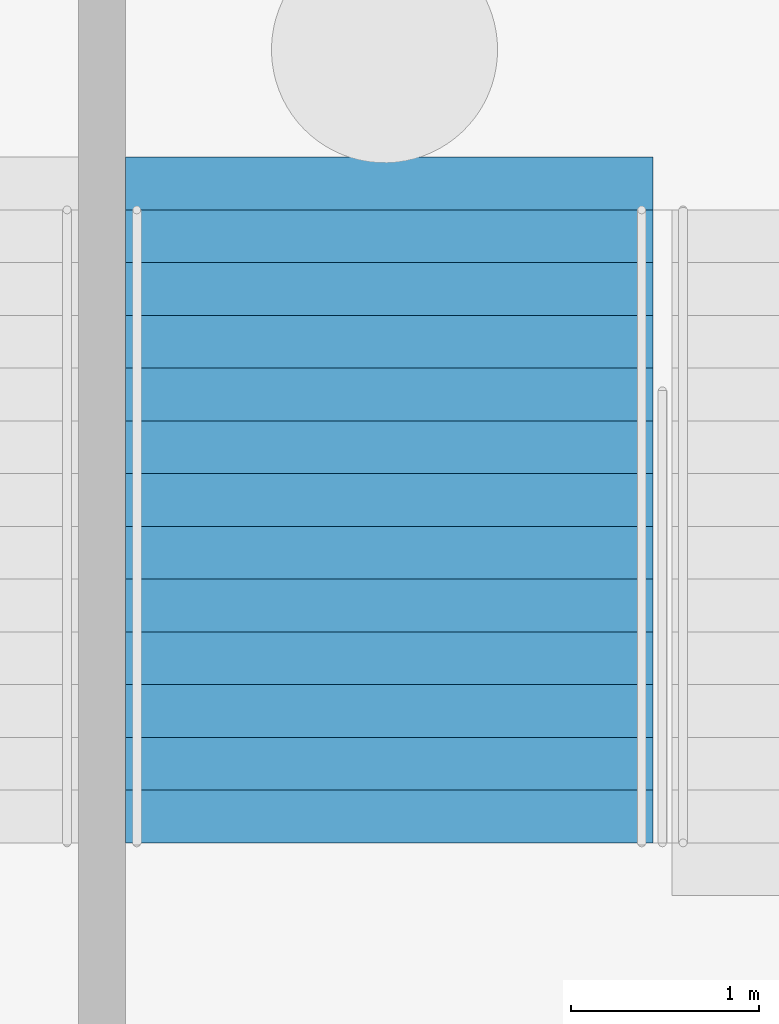
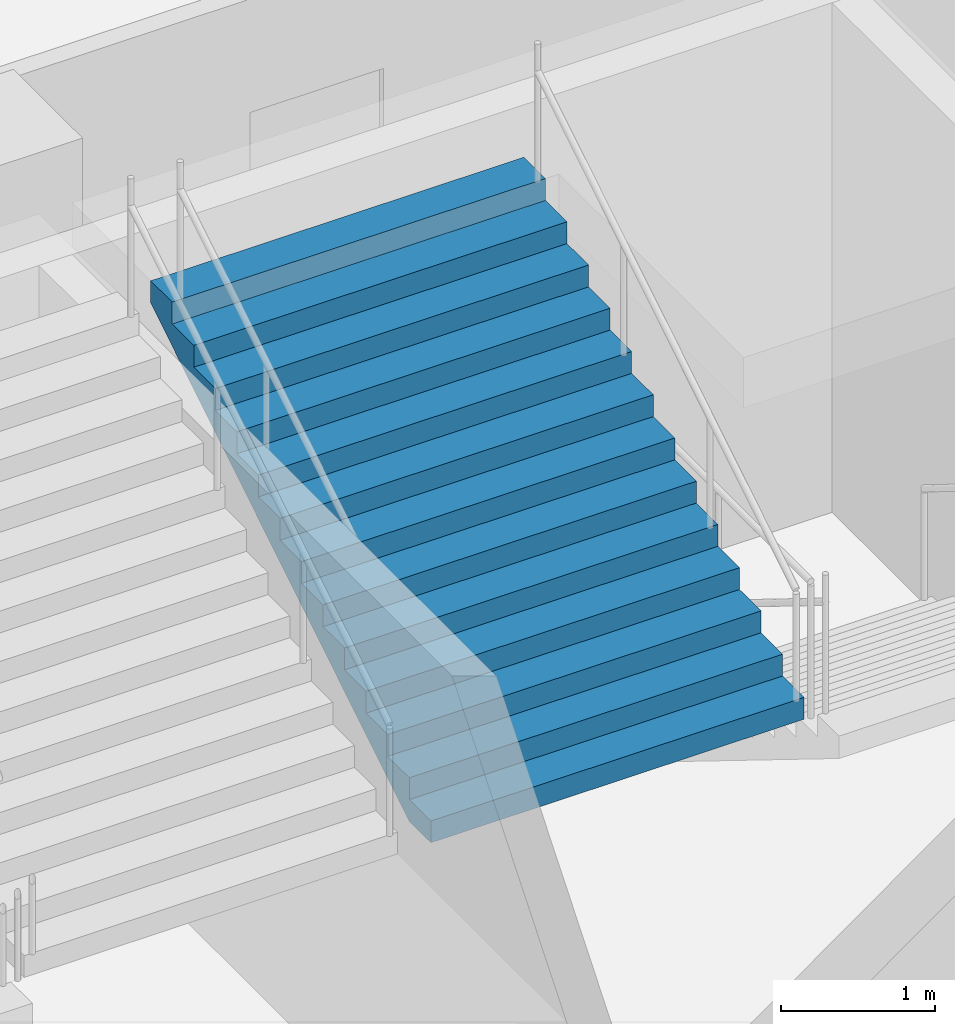
# One storey, part 65 of 115: 1 stair flight, 1 element without a shape of its own.
"""IFC4 building model written with IfcOpenShell, lengths in metres."""

from ifc_helpers import new_model, si_unit, direction, frame, origin, place, context, subcontext, project, spatial, faceted_brep, material, type_object, element, aggregate, save


model = new_model("IFC4")

# Units and contexts
model_context = context("Model", 3, precision=1e-05, world=origin(), true_north=direction((0.0, 1.0)))
body_context = subcontext(model_context, "Body", "Model", "MODEL_VIEW")
ifc_project = project(units=[si_unit("LENGTHUNIT", "METRE"), si_unit("AREAUNIT", "SQUARE_METRE"), si_unit("VOLUMEUNIT", "CUBIC_METRE"), si_unit("PLANEANGLEUNIT", "RADIAN"), si_unit("MASSUNIT", "GRAM", prefix="KILO")], contexts=[model_context])

# Site, building, storey
site_placement = place(None, origin())
site = spatial("IfcSite", under=ifc_project, at=site_placement, CompositionType="ELEMENT")
building_placement = place(site_placement, origin())
building = spatial("IfcBuilding", under=site, at=building_placement, Name="Ogive Plaza Stadium", CompositionType="ELEMENT")
storey_placement = place(building_placement, frame((0.0, 0.0, -4.5)))
storey = spatial("IfcBuildingStorey", under=building, at=storey_placement, Name="B1", CompositionType="ELEMENT", Elevation=-4.5)

# Stair, stair flight
ifc_material_1 = material(Name="Concrete C40/50", Category="concrete")
stair_type = type_object("IfcStairType", Name="Exit stair", PredefinedType="STRAIGHT_RUN_STAIR", material=ifc_material_1)
stair_placement = place(storey_placement, origin())
stair = element("IfcStair", 1, at=stair_placement, inside=storey, type_object=stair_type, Name="Exit stair ST16B B1 to L00", PredefinedType="STRAIGHT_RUN_STAIR")
ifc_material_2 = material(Name="Concrete C40/50", Category="concrete")
stair_flight_type = type_object("IfcStairFlightType", Name="Exit stair flight", PredefinedType="STRAIGHT", material=ifc_material_2)
stair_flight_placement = place(storey_placement, frame((-18.875, -98.2099609375, 2.25), z_axis=(0.0, 0.0, 1.0), x_axis=(0.0, 1.0, 0.0)))
stair_flight = element("IfcStairFlight", 2, at=stair_flight_placement, type_object=stair_flight_type, Name="ST16B flight 2", NumberOfRisers=13, NumberOfTreads=12, PredefinedType="STRAIGHT", RiserHeight=0.173076923, TreadLength=0.28, context=body_context, shape_type="Brep", body=[
    faceted_brep([(0.28515625, -1.39990234375, 0.0), (3.639892578125, -1.39990234375, 2.07373046875), (3.639892578125, -1.39990234375, 2.25), (3.360107421875, -1.39990234375, 2.25), (3.360107421875, -1.39990234375, 2.076904296875), (3.080078125, -1.39990234375, 2.076904296875), (3.080078125, -1.39990234375, 1.90380859375), (2.800048828125, -1.39990234375, 1.90380859375), (2.800048828125, -1.39990234375, 1.730712890625), (2.52001953125, -1.39990234375, 1.730712890625), (2.52001953125, -1.39990234375, 1.5576171875), (2.239990234375, -1.39990234375, 1.5576171875), (2.239990234375, -1.39990234375, 1.384521484375), (1.9599609375, -1.39990234375, 1.384521484375), (1.9599609375, -1.39990234375, 1.21142578125), (1.679931640625, -1.39990234375, 1.21142578125), (1.679931640625, -1.39990234375, 1.03857421875), (1.39990234375, -1.39990234375, 1.03857421875), (1.39990234375, -1.39990234375, 0.865478515625), (1.1201171875, -1.39990234375, 0.865478515625), (1.1201171875, -1.39990234375, 0.6923828125), (0.840087890625, -1.39990234375, 0.6923828125), (0.840087890625, -1.39990234375, 0.519287109375), (0.56005859375, -1.39990234375, 0.519287109375), (0.56005859375, -1.39990234375, 0.34619140625), (0.280029296875, -1.39990234375, 0.34619140625), (0.280029296875, -1.39990234375, 0.173095703125), (0.0, -1.39990234375, 0.173095703125), (0.0, -1.39990234375, 0.0), (0.0, 1.39990234375, 0.0), (0.0, 1.39990234375, 0.173095703125), (0.280029296875, 1.39990234375, 0.173095703125), (0.280029296875, 1.39990234375, 0.34619140625), (0.56005859375, 1.39990234375, 0.34619140625), (0.56005859375, 1.39990234375, 0.519287109375), (0.840087890625, 1.39990234375, 0.519287109375), (0.840087890625, 1.39990234375, 0.6923828125), (1.1201171875, 1.39990234375, 0.6923828125), (1.1201171875, 1.39990234375, 0.865478515625), (1.39990234375, 1.39990234375, 0.865478515625), (1.39990234375, 1.39990234375, 1.03857421875), (1.679931640625, 1.39990234375, 1.03857421875), (1.679931640625, 1.39990234375, 1.21142578125), (1.9599609375, 1.39990234375, 1.21142578125), (1.9599609375, 1.39990234375, 1.384521484375), (2.239990234375, 1.39990234375, 1.384521484375), (2.239990234375, 1.39990234375, 1.5576171875), (2.52001953125, 1.39990234375, 1.5576171875), (2.52001953125, 1.39990234375, 1.730712890625), (2.800048828125, 1.39990234375, 1.730712890625), (2.800048828125, 1.39990234375, 1.90380859375), (3.080078125, 1.39990234375, 1.90380859375), (3.080078125, 1.39990234375, 2.076904296875), (3.360107421875, 1.39990234375, 2.076904296875), (3.360107421875, 1.39990234375, 2.25), (3.639892578125, 1.39990234375, 2.25), (3.639892578125, 1.39990234375, 2.07373046875), (0.28515625, 1.39990234375, 0.0), (0.28515625, -1.0888671875, 0.0), (3.639892578125, -1.0888671875, 2.07373046875), (0.28515625, -0.77783203125, 0.0), (3.639892578125, -0.77783203125, 2.07373046875), (0.28515625, -0.466796875, 0.0), (3.639892578125, -0.466796875, 2.07373046875), (0.28515625, -0.155517578125, 0.0), (3.639892578125, -0.155517578125, 2.07373046875), (0.28515625, 0.155517578125, 0.0), (3.639892578125, 0.155517578125, 2.07373046875), (0.28515625, 0.466796875, 0.0), (3.639892578125, 0.466796875, 2.07373046875), (0.28515625, 0.77783203125, 0.0), (3.639892578125, 0.77783203125, 2.07373046875), (0.28515625, 1.0888671875, 0.0), (3.639892578125, 1.0888671875, 2.07373046875), (3.639892578125, -1.0888671875, 2.25), (3.639892578125, -0.77783203125, 2.25), (3.639892578125, -0.466796875, 2.25), (3.639892578125, -0.155517578125, 2.25), (3.639892578125, 0.155517578125, 2.25), (3.639892578125, 0.466796875, 2.25), (3.639892578125, 0.77783203125, 2.25), (3.639892578125, 1.0888671875, 2.25), (3.360107421875, -1.0888671875, 2.25), (3.360107421875, -0.77783203125, 2.25), (3.360107421875, -0.466796875, 2.25), (3.360107421875, -0.155517578125, 2.25), (3.360107421875, 0.155517578125, 2.25), (3.360107421875, 0.466796875, 2.25), (3.360107421875, 0.77783203125, 2.25), (3.360107421875, 1.0888671875, 2.25), (3.360107421875, -1.0888671875, 2.076904296875), (3.360107421875, -0.77783203125, 2.076904296875), (3.360107421875, -0.466796875, 2.076904296875), (3.360107421875, -0.155517578125, 2.076904296875), (3.360107421875, 0.155517578125, 2.076904296875), (3.360107421875, 0.466796875, 2.076904296875), (3.360107421875, 0.77783203125, 2.076904296875), (3.360107421875, 1.0888671875, 2.076904296875), (3.080078125, -1.0888671875, 2.076904296875), (3.080078125, -0.77783203125, 2.076904296875), (3.080078125, -0.466796875, 2.076904296875), (3.080078125, -0.155517578125, 2.076904296875), (3.080078125, 0.155517578125, 2.076904296875), (3.080078125, 0.466796875, 2.076904296875), (3.080078125, 0.77783203125, 2.076904296875), (3.080078125, 1.0888671875, 2.076904296875), (3.080078125, -1.0888671875, 1.90380859375), (3.080078125, -0.77783203125, 1.90380859375), (3.080078125, -0.466796875, 1.90380859375), (3.080078125, -0.155517578125, 1.90380859375), (3.080078125, 0.155517578125, 1.90380859375), (3.080078125, 0.466796875, 1.90380859375), (3.080078125, 0.77783203125, 1.90380859375), (3.080078125, 1.0888671875, 1.90380859375), (2.800048828125, -1.0888671875, 1.90380859375), (2.800048828125, -0.77783203125, 1.90380859375), (2.800048828125, -0.466796875, 1.90380859375), (2.800048828125, -0.155517578125, 1.90380859375), (2.800048828125, 0.155517578125, 1.90380859375), (2.800048828125, 0.466796875, 1.90380859375), (2.800048828125, 0.77783203125, 1.90380859375), (2.800048828125, 1.0888671875, 1.90380859375), (2.800048828125, -1.0888671875, 1.730712890625), (2.800048828125, -0.77783203125, 1.730712890625), (2.800048828125, -0.466796875, 1.730712890625), (2.800048828125, -0.155517578125, 1.730712890625), (2.800048828125, 0.155517578125, 1.730712890625), (2.800048828125, 0.466796875, 1.730712890625), (2.800048828125, 0.77783203125, 1.730712890625), (2.800048828125, 1.0888671875, 1.730712890625), (2.52001953125, -1.0888671875, 1.730712890625), (2.52001953125, -0.77783203125, 1.730712890625), (2.52001953125, -0.466796875, 1.730712890625), (2.52001953125, -0.155517578125, 1.730712890625), (2.52001953125, 0.155517578125, 1.730712890625), (2.52001953125, 0.466796875, 1.730712890625), (2.52001953125, 0.77783203125, 1.730712890625), (2.52001953125, 1.0888671875, 1.730712890625), (2.52001953125, -1.0888671875, 1.5576171875), (2.52001953125, -0.77783203125, 1.5576171875), (2.52001953125, -0.466796875, 1.5576171875), (2.52001953125, -0.155517578125, 1.5576171875), (2.52001953125, 0.155517578125, 1.5576171875), (2.52001953125, 0.466796875, 1.5576171875), (2.52001953125, 0.77783203125, 1.5576171875), (2.52001953125, 1.0888671875, 1.5576171875), (2.239990234375, -1.0888671875, 1.5576171875), (2.239990234375, -0.77783203125, 1.5576171875), (2.239990234375, -0.466796875, 1.5576171875), (2.239990234375, -0.155517578125, 1.5576171875), (2.239990234375, 0.155517578125, 1.5576171875), (2.239990234375, 0.466796875, 1.5576171875), (2.239990234375, 0.77783203125, 1.5576171875), (2.239990234375, 1.0888671875, 1.5576171875), (2.239990234375, -1.0888671875, 1.384521484375), (2.239990234375, -0.77783203125, 1.384521484375), (2.239990234375, -0.466796875, 1.384521484375), (2.239990234375, -0.155517578125, 1.384521484375), (2.239990234375, 0.155517578125, 1.384521484375), (2.239990234375, 0.466796875, 1.384521484375), (2.239990234375, 0.77783203125, 1.384521484375), (2.239990234375, 1.0888671875, 1.384521484375), (1.9599609375, -1.0888671875, 1.384521484375), (1.9599609375, -0.77783203125, 1.384521484375), (1.9599609375, -0.466796875, 1.384521484375), (1.9599609375, -0.155517578125, 1.384521484375), (1.9599609375, 0.155517578125, 1.384521484375), (1.9599609375, 0.466796875, 1.384521484375), (1.9599609375, 0.77783203125, 1.384521484375), (1.9599609375, 1.0888671875, 1.384521484375), (1.9599609375, -1.0888671875, 1.21142578125), (1.9599609375, -0.77783203125, 1.21142578125), (1.9599609375, -0.466796875, 1.21142578125), (1.9599609375, -0.155517578125, 1.21142578125), (1.9599609375, 0.155517578125, 1.21142578125), (1.9599609375, 0.466796875, 1.21142578125), (1.9599609375, 0.77783203125, 1.21142578125), (1.9599609375, 1.0888671875, 1.21142578125), (1.679931640625, -1.0888671875, 1.21142578125), (1.679931640625, -0.77783203125, 1.21142578125), (1.679931640625, -0.466796875, 1.21142578125), (1.679931640625, -0.155517578125, 1.21142578125), (1.679931640625, 0.155517578125, 1.21142578125), (1.679931640625, 0.466796875, 1.21142578125), (1.679931640625, 0.77783203125, 1.21142578125), (1.679931640625, 1.0888671875, 1.21142578125), (1.679931640625, -1.0888671875, 1.03857421875), (1.679931640625, -0.77783203125, 1.03857421875), (1.679931640625, -0.466796875, 1.03857421875), (1.679931640625, -0.155517578125, 1.03857421875), (1.679931640625, 0.155517578125, 1.03857421875), (1.679931640625, 0.466796875, 1.03857421875), (1.679931640625, 0.77783203125, 1.03857421875), (1.679931640625, 1.0888671875, 1.03857421875), (1.39990234375, -1.0888671875, 1.03857421875), (1.39990234375, -0.77783203125, 1.03857421875), (1.39990234375, -0.466796875, 1.03857421875), (1.39990234375, -0.155517578125, 1.03857421875), (1.39990234375, 0.155517578125, 1.03857421875), (1.39990234375, 0.466796875, 1.03857421875), (1.39990234375, 0.77783203125, 1.03857421875), (1.39990234375, 1.0888671875, 1.03857421875), (1.39990234375, -1.0888671875, 0.865478515625), (1.39990234375, -0.77783203125, 0.865478515625), (1.39990234375, -0.466796875, 0.865478515625), (1.39990234375, -0.155517578125, 0.865478515625), (1.39990234375, 0.155517578125, 0.865478515625), (1.39990234375, 0.466796875, 0.865478515625), (1.39990234375, 0.77783203125, 0.865478515625), (1.39990234375, 1.0888671875, 0.865478515625), (1.1201171875, -1.0888671875, 0.865478515625), (1.1201171875, -0.77783203125, 0.865478515625), (1.1201171875, -0.466796875, 0.865478515625), (1.1201171875, -0.155517578125, 0.865478515625), (1.1201171875, 0.155517578125, 0.865478515625), (1.1201171875, 0.466796875, 0.865478515625), (1.1201171875, 0.77783203125, 0.865478515625), (1.1201171875, 1.0888671875, 0.865478515625), (1.1201171875, -1.0888671875, 0.6923828125), (1.1201171875, -0.77783203125, 0.6923828125), (1.1201171875, -0.466796875, 0.6923828125), (1.1201171875, -0.155517578125, 0.6923828125), (1.1201171875, 0.155517578125, 0.6923828125), (1.1201171875, 0.466796875, 0.6923828125), (1.1201171875, 0.77783203125, 0.6923828125), (1.1201171875, 1.0888671875, 0.6923828125), (0.840087890625, -1.0888671875, 0.6923828125), (0.840087890625, -0.77783203125, 0.6923828125), (0.840087890625, -0.466796875, 0.6923828125), (0.840087890625, -0.155517578125, 0.6923828125), (0.840087890625, 0.155517578125, 0.6923828125), (0.840087890625, 0.466796875, 0.6923828125), (0.840087890625, 0.77783203125, 0.6923828125), (0.840087890625, 1.0888671875, 0.6923828125), (0.840087890625, -1.0888671875, 0.519287109375), (0.840087890625, -0.77783203125, 0.519287109375), (0.840087890625, -0.466796875, 0.519287109375), (0.840087890625, -0.155517578125, 0.519287109375), (0.840087890625, 0.155517578125, 0.519287109375), (0.840087890625, 0.466796875, 0.519287109375), (0.840087890625, 0.77783203125, 0.519287109375), (0.840087890625, 1.0888671875, 0.519287109375), (0.56005859375, -1.0888671875, 0.519287109375), (0.56005859375, -0.77783203125, 0.519287109375), (0.56005859375, -0.466796875, 0.519287109375), (0.56005859375, -0.155517578125, 0.519287109375), (0.56005859375, 0.155517578125, 0.519287109375), (0.56005859375, 0.466796875, 0.519287109375), (0.56005859375, 0.77783203125, 0.519287109375), (0.56005859375, 1.0888671875, 0.519287109375), (0.56005859375, -1.0888671875, 0.34619140625), (0.56005859375, -0.77783203125, 0.34619140625), (0.56005859375, -0.466796875, 0.34619140625), (0.56005859375, -0.155517578125, 0.34619140625), (0.56005859375, 0.155517578125, 0.34619140625), (0.56005859375, 0.466796875, 0.34619140625), (0.56005859375, 0.77783203125, 0.34619140625), (0.56005859375, 1.0888671875, 0.34619140625), (0.280029296875, -1.0888671875, 0.34619140625), (0.280029296875, -0.77783203125, 0.34619140625), (0.280029296875, -0.466796875, 0.34619140625), (0.280029296875, -0.155517578125, 0.34619140625), (0.280029296875, 0.155517578125, 0.34619140625), (0.280029296875, 0.466796875, 0.34619140625), (0.280029296875, 0.77783203125, 0.34619140625), (0.280029296875, 1.0888671875, 0.34619140625), (0.280029296875, -1.0888671875, 0.173095703125), (0.280029296875, -0.77783203125, 0.173095703125), (0.280029296875, -0.466796875, 0.173095703125), (0.280029296875, -0.155517578125, 0.173095703125), (0.280029296875, 0.155517578125, 0.173095703125), (0.280029296875, 0.466796875, 0.173095703125), (0.280029296875, 0.77783203125, 0.173095703125), (0.280029296875, 1.0888671875, 0.173095703125), (0.0, -1.0888671875, 0.173095703125), (0.0, -0.77783203125, 0.173095703125), (0.0, -0.466796875, 0.173095703125), (0.0, -0.155517578125, 0.173095703125), (0.0, 0.155517578125, 0.173095703125), (0.0, 0.466796875, 0.173095703125), (0.0, 0.77783203125, 0.173095703125), (0.0, 1.0888671875, 0.173095703125), (0.0, -1.0888671875, 0.0), (0.0, -0.77783203125, 0.0), (0.0, -0.466796875, 0.0), (0.0, -0.155517578125, 0.0), (0.0, 0.155517578125, 0.0), (0.0, 0.466796875, 0.0), (0.0, 0.77783203125, 0.0), (0.0, 1.0888671875, 0.0)], [[[0, 1, 2, 3, 4, 5, 6, 7, 8, 9, 10, 11, 12, 13, 14, 15, 16, 17, 18, 19, 20, 21, 22, 23, 24, 25, 26, 27, 28]], [[29, 30, 31, 32, 33, 34, 35, 36, 37, 38, 39, 40, 41, 42, 43, 44, 45, 46, 47, 48, 49, 50, 51, 52, 53, 54, 55, 56, 57]], [[0, 58, 59, 1]], [[58, 60, 61, 59]], [[60, 62, 63, 61]], [[62, 64, 65, 63]], [[64, 66, 67, 65]], [[66, 68, 69, 67]], [[68, 70, 71, 69]], [[70, 72, 73, 71]], [[72, 57, 56, 73]], [[1, 59, 74, 2]], [[59, 61, 75, 74]], [[61, 63, 76, 75]], [[63, 65, 77, 76]], [[65, 67, 78, 77]], [[67, 69, 79, 78]], [[69, 71, 80, 79]], [[71, 73, 81, 80]], [[73, 56, 55, 81]], [[2, 74, 82, 3]], [[74, 75, 83, 82]], [[75, 76, 84, 83]], [[76, 77, 85, 84]], [[77, 78, 86, 85]], [[78, 79, 87, 86]], [[79, 80, 88, 87]], [[80, 81, 89, 88]], [[81, 55, 54, 89]], [[3, 82, 90, 4]], [[82, 83, 91, 90]], [[83, 84, 92, 91]], [[84, 85, 93, 92]], [[85, 86, 94, 93]], [[86, 87, 95, 94]], [[87, 88, 96, 95]], [[88, 89, 97, 96]], [[89, 54, 53, 97]], [[4, 90, 98, 5]], [[90, 91, 99, 98]], [[91, 92, 100, 99]], [[92, 93, 101, 100]], [[93, 94, 102, 101]], [[94, 95, 103, 102]], [[95, 96, 104, 103]], [[96, 97, 105, 104]], [[97, 53, 52, 105]], [[5, 98, 106, 6]], [[98, 99, 107, 106]], [[99, 100, 108, 107]], [[100, 101, 109, 108]], [[101, 102, 110, 109]], [[102, 103, 111, 110]], [[103, 104, 112, 111]], [[104, 105, 113, 112]], [[105, 52, 51, 113]], [[6, 106, 114, 7]], [[106, 107, 115, 114]], [[107, 108, 116, 115]], [[108, 109, 117, 116]], [[109, 110, 118, 117]], [[110, 111, 119, 118]], [[111, 112, 120, 119]], [[112, 113, 121, 120]], [[113, 51, 50, 121]], [[7, 114, 122, 8]], [[114, 115, 123, 122]], [[115, 116, 124, 123]], [[116, 117, 125, 124]], [[117, 118, 126, 125]], [[118, 119, 127, 126]], [[119, 120, 128, 127]], [[120, 121, 129, 128]], [[121, 50, 49, 129]], [[8, 122, 130, 9]], [[122, 123, 131, 130]], [[123, 124, 132, 131]], [[124, 125, 133, 132]], [[125, 126, 134, 133]], [[126, 127, 135, 134]], [[127, 128, 136, 135]], [[128, 129, 137, 136]], [[129, 49, 48, 137]], [[9, 130, 138, 10]], [[130, 131, 139, 138]], [[131, 132, 140, 139]], [[132, 133, 141, 140]], [[133, 134, 142, 141]], [[134, 135, 143, 142]], [[135, 136, 144, 143]], [[136, 137, 145, 144]], [[137, 48, 47, 145]], [[10, 138, 146, 11]], [[138, 139, 147, 146]], [[139, 140, 148, 147]], [[140, 141, 149, 148]], [[141, 142, 150, 149]], [[142, 143, 151, 150]], [[143, 144, 152, 151]], [[144, 145, 153, 152]], [[145, 47, 46, 153]], [[11, 146, 154, 12]], [[146, 147, 155, 154]], [[147, 148, 156, 155]], [[148, 149, 157, 156]], [[149, 150, 158, 157]], [[150, 151, 159, 158]], [[151, 152, 160, 159]], [[152, 153, 161, 160]], [[153, 46, 45, 161]], [[12, 154, 162, 13]], [[154, 155, 163, 162]], [[155, 156, 164, 163]], [[156, 157, 165, 164]], [[157, 158, 166, 165]], [[158, 159, 167, 166]], [[159, 160, 168, 167]], [[160, 161, 169, 168]], [[161, 45, 44, 169]], [[13, 162, 170, 14]], [[162, 163, 171, 170]], [[163, 164, 172, 171]], [[164, 165, 173, 172]], [[165, 166, 174, 173]], [[166, 167, 175, 174]], [[167, 168, 176, 175]], [[168, 169, 177, 176]], [[169, 44, 43, 177]], [[14, 170, 178, 15]], [[170, 171, 179, 178]], [[171, 172, 180, 179]], [[172, 173, 181, 180]], [[173, 174, 182, 181]], [[174, 175, 183, 182]], [[175, 176, 184, 183]], [[176, 177, 185, 184]], [[177, 43, 42, 185]], [[15, 178, 186, 16]], [[178, 179, 187, 186]], [[179, 180, 188, 187]], [[180, 181, 189, 188]], [[181, 182, 190, 189]], [[182, 183, 191, 190]], [[183, 184, 192, 191]], [[184, 185, 193, 192]], [[185, 42, 41, 193]], [[16, 186, 194, 17]], [[186, 187, 195, 194]], [[187, 188, 196, 195]], [[188, 189, 197, 196]], [[189, 190, 198, 197]], [[190, 191, 199, 198]], [[191, 192, 200, 199]], [[192, 193, 201, 200]], [[193, 41, 40, 201]], [[17, 194, 202, 18]], [[194, 195, 203, 202]], [[195, 196, 204, 203]], [[196, 197, 205, 204]], [[197, 198, 206, 205]], [[198, 199, 207, 206]], [[199, 200, 208, 207]], [[200, 201, 209, 208]], [[201, 40, 39, 209]], [[18, 202, 210, 19]], [[202, 203, 211, 210]], [[203, 204, 212, 211]], [[204, 205, 213, 212]], [[205, 206, 214, 213]], [[206, 207, 215, 214]], [[207, 208, 216, 215]], [[208, 209, 217, 216]], [[209, 39, 38, 217]], [[19, 210, 218, 20]], [[210, 211, 219, 218]], [[211, 212, 220, 219]], [[212, 213, 221, 220]], [[213, 214, 222, 221]], [[214, 215, 223, 222]], [[215, 216, 224, 223]], [[216, 217, 225, 224]], [[217, 38, 37, 225]], [[20, 218, 226, 21]], [[218, 219, 227, 226]], [[219, 220, 228, 227]], [[220, 221, 229, 228]], [[221, 222, 230, 229]], [[222, 223, 231, 230]], [[223, 224, 232, 231]], [[224, 225, 233, 232]], [[225, 37, 36, 233]], [[21, 226, 234, 22]], [[226, 227, 235, 234]], [[227, 228, 236, 235]], [[228, 229, 237, 236]], [[229, 230, 238, 237]], [[230, 231, 239, 238]], [[231, 232, 240, 239]], [[232, 233, 241, 240]], [[233, 36, 35, 241]], [[22, 234, 242, 23]], [[234, 235, 243, 242]], [[235, 236, 244, 243]], [[236, 237, 245, 244]], [[237, 238, 246, 245]], [[238, 239, 247, 246]], [[239, 240, 248, 247]], [[240, 241, 249, 248]], [[241, 35, 34, 249]], [[23, 242, 250, 24]], [[242, 243, 251, 250]], [[243, 244, 252, 251]], [[244, 245, 253, 252]], [[245, 246, 254, 253]], [[246, 247, 255, 254]], [[247, 248, 256, 255]], [[248, 249, 257, 256]], [[249, 34, 33, 257]], [[24, 250, 258, 25]], [[250, 251, 259, 258]], [[251, 252, 260, 259]], [[252, 253, 261, 260]], [[253, 254, 262, 261]], [[254, 255, 263, 262]], [[255, 256, 264, 263]], [[256, 257, 265, 264]], [[257, 33, 32, 265]], [[25, 258, 266, 26]], [[258, 259, 267, 266]], [[259, 260, 268, 267]], [[260, 261, 269, 268]], [[261, 262, 270, 269]], [[262, 263, 271, 270]], [[263, 264, 272, 271]], [[264, 265, 273, 272]], [[265, 32, 31, 273]], [[26, 266, 274, 27]], [[266, 267, 275, 274]], [[267, 268, 276, 275]], [[268, 269, 277, 276]], [[269, 270, 278, 277]], [[270, 271, 279, 278]], [[271, 272, 280, 279]], [[272, 273, 281, 280]], [[273, 31, 30, 281]], [[27, 274, 282, 28]], [[274, 275, 283, 282]], [[275, 276, 284, 283]], [[276, 277, 285, 284]], [[277, 278, 286, 285]], [[278, 279, 287, 286]], [[279, 280, 288, 287]], [[280, 281, 289, 288]], [[281, 30, 29, 289]], [[28, 282, 58, 0]], [[282, 283, 60, 58]], [[283, 284, 62, 60]], [[284, 285, 64, 62]], [[285, 286, 66, 64]], [[286, 287, 68, 66]], [[287, 288, 70, 68]], [[288, 289, 72, 70]], [[289, 29, 57, 72]]]),
])
aggregate(stair, [stair_flight])

save(model, "model.ifc")
